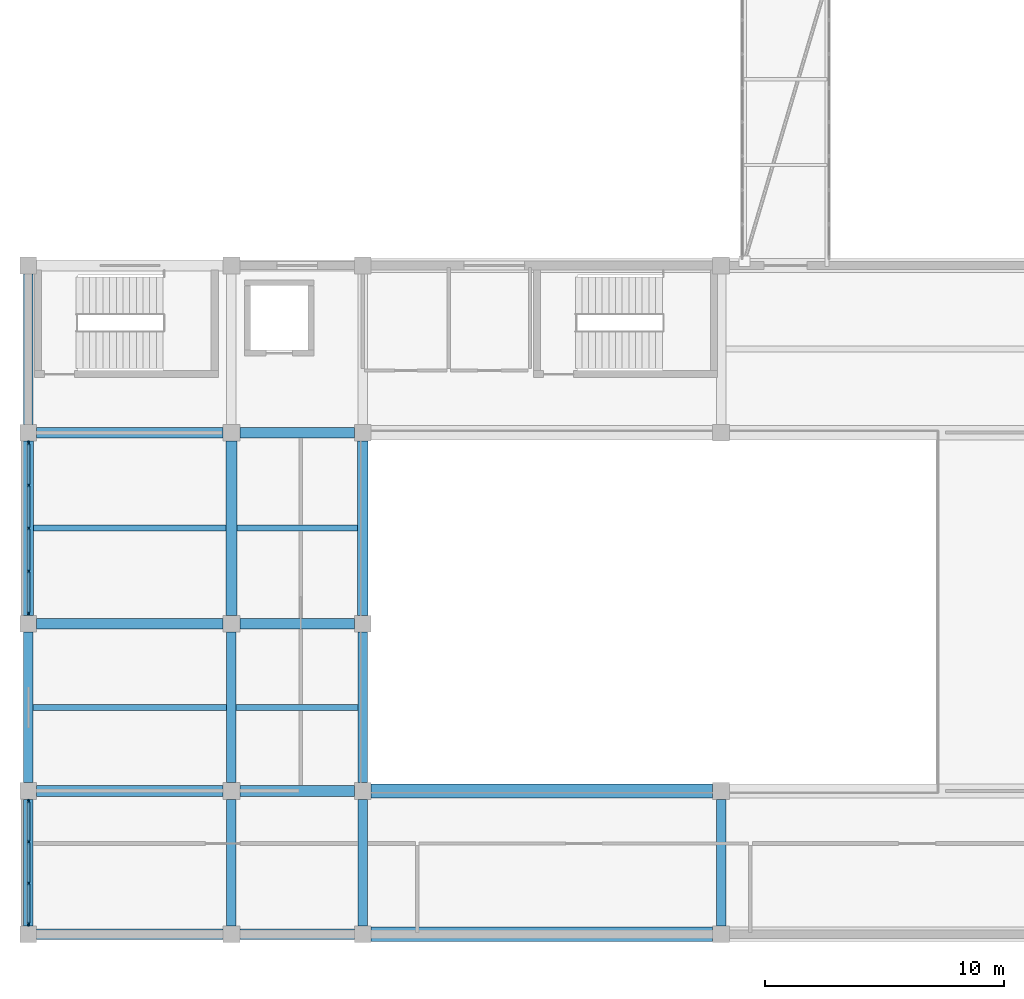
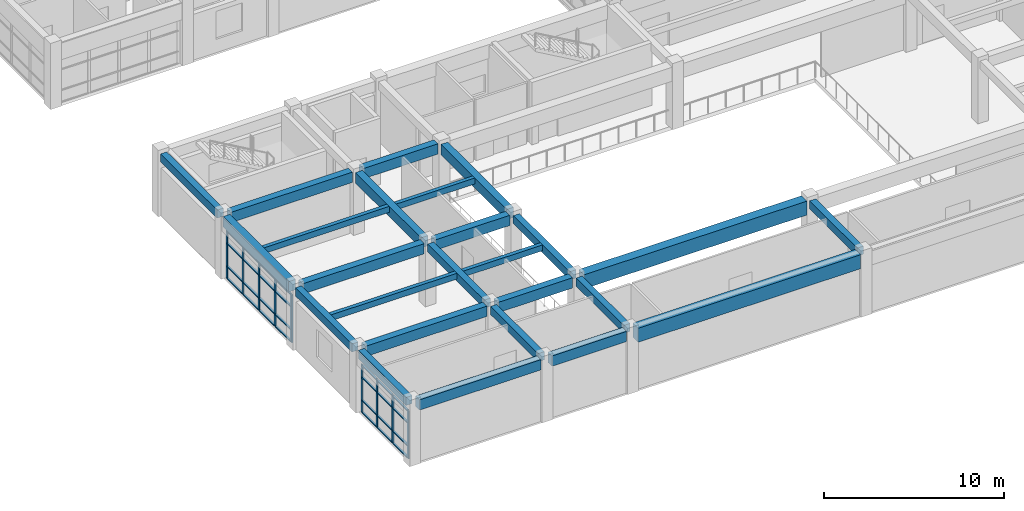
# One storey, part 3 of 70: 37 members, 25 beams, 2 elements without a shape of their own.
"""IFC4 building model written with IfcOpenShell, lengths in metres."""

import ifcopenshell
import ifcopenshell.guid

model = None  # the IFC model being written
_history = None  # IfcOwnerHistory: only IFC2X3 demands one
_inside = {}  # id of a spatial element -> (the spatial element, [elements in it])
_under = {}  # id of a project, library or spatial element -> (it, [spatial elements below it])
_declared = {}  # id of a project -> (the project, [libraries it declares])
_typed = {}  # id of a type object -> (the type object, [elements of that type])
_made_of = {}  # id of a material, layer set ... -> (it, [elements and type objects made of it])


def new_model(schema):
    """Start an empty IFC model of exactly this schema.

    Asked for "IFC4X3", IfcOpenShell would pick the latest addendum, in which some entities
    have other attributes; the version numbers below select the first issue.
    IFC2X3 requires an IfcOwnerHistory on every rooted entity: one is made here for all.
    """
    global model, _history
    if schema == "IFC4X3":
        model = ifcopenshell.file(schema_version=(4, 3, 0, 0))
    else:
        model = ifcopenshell.file(schema=schema)
    _inside.clear()
    _under.clear()
    _declared.clear()
    _typed.clear()
    _made_of.clear()
    _history = None
    if model.schema == "IFC2X3":
        org = make("IfcOrganization", Name="unknown")
        user = make(
            "IfcPersonAndOrganization",
            ThePerson=make("IfcPerson", FamilyName="unknown"),
            TheOrganization=org,
        )
        app = make(
            "IfcApplication",
            ApplicationDeveloper=org,
            Version="unknown",
            ApplicationFullName="unknown",
            ApplicationIdentifier="unknown",
        )
        _history = make(
            "IfcOwnerHistory",
            OwningUser=user,
            OwningApplication=app,
            ChangeAction="ADDED",
            CreationDate=0,
        )
    return model


def make(cls, **values):
    """One entity of the class cls with the attributes given. An attribute that is None is left unset."""
    return model.create_entity(
        cls, **{name: value for name, value in values.items() if value is not None}
    )


def rooted(cls, **values):
    """An entity with a GlobalId (a new one), such as an element, a storey or a relation."""
    return make(cls, GlobalId=ifcopenshell.guid.new(), OwnerHistory=_history, **values)


def si_unit(unit_type, name, prefix=None):
    """IfcSIUnit, for example si_unit("LENGTHUNIT", "METRE", prefix="MILLI")."""
    return make("IfcSIUnit", UnitType=unit_type, Prefix=prefix, Name=name)


def assignment(units):
    """IfcUnitAssignment: the units of a project."""
    return None if units is None else make("IfcUnitAssignment", Units=units)


def point(xyz):
    """IfcCartesianPoint."""
    return None if xyz is None else make("IfcCartesianPoint", Coordinates=xyz)


def direction(xyz):
    """IfcDirection."""
    return None if xyz is None else make("IfcDirection", DirectionRatios=xyz)


def frame(location, z_axis=None, x_axis=None):
    """IfcAxis2Placement3D, a coordinate frame: its origin and axes. An axis left out is left unset."""
    return make(
        "IfcAxis2Placement3D",
        Location=point(location),
        Axis=direction(z_axis),
        RefDirection=direction(x_axis),
    )


def frame_2d(location, x_axis=None):
    """IfcAxis2Placement2D, a coordinate frame in the plane: its origin and x axis."""
    return make(
        "IfcAxis2Placement2D", Location=point(location), RefDirection=direction(x_axis)
    )


def origin():
    """The frame at (0, 0, 0) with its axes left unset."""
    return frame((0.0, 0.0, 0.0))


def origin_2d():
    """The frame at (0, 0) in the plane with its x axis left unset."""
    return frame_2d((0.0, 0.0))


def place(relative_to, where):
    """IfcLocalPlacement: puts the frame where relative to a parent placement (None: the world)."""
    return make(
        "IfcLocalPlacement", PlacementRelTo=relative_to, RelativePlacement=where
    )


def context(
    kind, dimensions, precision=None, world=None, true_north=None, identifier=None
):
    """IfcGeometricRepresentationContext, for example the 3D "Model" context."""
    return make(
        "IfcGeometricRepresentationContext",
        ContextIdentifier=identifier,
        ContextType=kind,
        CoordinateSpaceDimension=dimensions,
        Precision=precision,
        WorldCoordinateSystem=world,
        TrueNorth=true_north,
    )


def subcontext(parent, identifier, kind, view, scale=None):
    """IfcGeometricRepresentationSubContext, for example "Body" below "Model"."""
    return make(
        "IfcGeometricRepresentationSubContext",
        ContextIdentifier=identifier,
        ContextType=kind,
        ParentContext=parent,
        TargetScale=scale,
        TargetView=view,
    )


def project(units=None, contexts=None):
    """IfcProject with its units and contexts."""
    return rooted(
        "IfcProject",
        Name="project",
        RepresentationContexts=contexts,
        UnitsInContext=assignment(units),
    )


def spatial(cls, under=None, at=None, **own):
    """A site, building, storey or space (cls), placed at a placement, below another one or the project."""
    s = rooted(cls, ObjectPlacement=at, **own)
    if under is not None:
        _under.setdefault(under.id(), (under, []))[1].append(s)
    return s


def profile(cls, at=None, kind="AREA", **sizes):
    """A parametric profile (cls). Its sizes go by their IFC names, for example OverallWidth=200.0."""
    return make(cls, ProfileType=kind, Position=at, **sizes)


def rectangle(**sizes):
    """IfcRectangleProfileDef."""
    return profile("IfcRectangleProfileDef", **sizes)


def extrude(swept, where, along, depth):
    """IfcExtrudedAreaSolid: the profile swept, set in the frame where, extruded along a direction by depth."""
    return make(
        "IfcExtrudedAreaSolid",
        SweptArea=swept,
        Position=where,
        ExtrudedDirection=direction(along),
        Depth=depth,
    )


def shape(context_of_items, identifier, shape_type, items):
    """IfcShapeRepresentation: the items that make up one representation, for example the "Body"."""
    return make(
        "IfcShapeRepresentation",
        ContextOfItems=context_of_items,
        RepresentationIdentifier=identifier,
        RepresentationType=shape_type,
        Items=items,
    )


def material(Name=None, Category=None):
    """IfcMaterial."""
    return make("IfcMaterial", Name=Name, Category=Category)


def layer(
    of_material, thickness, ventilated=None, Name=None, Category=None, Priority=None
):
    """IfcMaterialLayer: one layer of a wall or slab, of a material (None: an air gap)."""
    return make(
        "IfcMaterialLayer",
        Material=of_material,
        LayerThickness=thickness,
        IsVentilated=ventilated,
        Name=Name,
        Category=Category,
        Priority=Priority,
    )


def layer_set(layers, Name=None):
    """IfcMaterialLayerSet."""
    return make("IfcMaterialLayerSet", MaterialLayers=layers, LayerSetName=Name)


def material_profile(
    of_material, cross_section, Name=None, Category=None, Priority=None
):
    """IfcMaterialProfile: a cross section and its material."""
    return make(
        "IfcMaterialProfile",
        Name=Name,
        Material=of_material,
        Profile=cross_section,
        Priority=Priority,
        Category=Category,
    )


def profile_set(profiles, Name=None, composite=None):
    """IfcMaterialProfileSet."""
    return make(
        "IfcMaterialProfileSet",
        Name=Name,
        MaterialProfiles=profiles,
        CompositeProfile=composite,
    )


def made_of(thing, what):
    """Note that an element or type object is made of a material, layer set ...; save() writes the relation."""
    if what is not None:
        _made_of.setdefault(what.id(), (what, []))[1].append(thing)
    return thing


def type_object(cls, material=None, **own):
    """A type object (cls), such as IfcWallType, which elements share."""
    return made_of(rooted(cls, **own), material)


def element(
    cls,
    number,
    at=None,
    inside=None,
    cuts=None,
    type_object=None,
    material=None,
    context=None,
    identifier="Body",
    shape_type=None,
    held_by="IfcProductDefinitionShape",
    body=None,
    shapes=None,
    **own,
):
    """One element of the class cls, such as IfcWall. Its Tag is "e" and its number.

    at: its placement. inside: the storey or other place that contains it. cuts: it is an
    opening in that element (IfcRelVoidsElement). A single representation is given by context,
    identifier, shape_type and body (its items); several are given by shapes. held_by: the class
    of the entity that holds the representations. save() writes the other relations.
    """
    e = rooted(cls, Tag="e%d" % number, ObjectPlacement=at, **own)
    if body is not None:
        shapes = [shape(context, identifier, shape_type, body)]
    if shapes is not None:
        e.Representation = make(held_by, Representations=shapes)
    if inside is not None:
        _inside.setdefault(inside.id(), (inside, []))[1].append(e)
    if cuts is not None:
        rooted(
            "IfcRelVoidsElement", RelatingBuildingElement=cuts, RelatedOpeningElement=e
        )
    if type_object is not None:
        _typed.setdefault(type_object.id(), (type_object, []))[1].append(e)
    return made_of(e, material)


def aggregate(whole, parts):
    """IfcRelAggregates: a whole, such as a stair, and the parts it consists of."""
    return rooted("IfcRelAggregates", RelatingObject=whole, RelatedObjects=parts)


def save(model, path):
    """Write the relations noted so far, then the file.

    IfcRelAggregates (storeys below a building ...), IfcRelContainedInSpatialStructure (elements
    in a storey), IfcRelDefinesByType, IfcRelAssociatesMaterial and IfcRelDeclares: one each for
    every whole, place, type object, material and project.
    """
    for whole, parts in _under.values():
        aggregate(whole, parts)
    for where, things in _inside.values():
        rooted(
            "IfcRelContainedInSpatialStructure",
            RelatedElements=things,
            RelatingStructure=where,
        )
    for kind, things in _typed.values():
        rooted("IfcRelDefinesByType", RelatedObjects=things, RelatingType=kind)
    for what, things in _made_of.values():
        rooted("IfcRelAssociatesMaterial", RelatedObjects=things, RelatingMaterial=what)
    for by, libraries in _declared.values():
        rooted("IfcRelDeclares", RelatingContext=by, RelatedDefinitions=libraries)
    model.write(path)


model = new_model("IFC4")

# Units and contexts
model_context = context("Model", 3, precision=1e-05, world=origin(), true_north=direction((0.0, 1.0)))
body_context = subcontext(model_context, "Body", "Model", "MODEL_VIEW")
ifc_project = project(units=[si_unit("LENGTHUNIT", "METRE"), si_unit("AREAUNIT", "SQUARE_METRE"), si_unit("VOLUMEUNIT", "CUBIC_METRE"), si_unit("PLANEANGLEUNIT", "RADIAN"), si_unit("MASSUNIT", "GRAM", prefix="KILO")], contexts=[model_context])

# Site, building, storey
site_placement = place(None, origin())
site = spatial("IfcSite", under=ifc_project, at=site_placement, CompositionType="ELEMENT")
building_placement = place(site_placement, origin())
building = spatial("IfcBuilding", under=site, at=building_placement, Name="Naurynzar Civic Courthouse", CompositionType="ELEMENT")
storey_placement = place(building_placement, frame((0.0, 0.0, 5.39990234375)))
storey = spatial("IfcBuildingStorey", under=building, at=storey_placement, Name="L02", CompositionType="ELEMENT", Elevation=5.39990234375)

# Beams
ifc_material_1 = material(Name="Concrete C40/50", Category="concrete")
ifc_material_profile_1 = material_profile(ifc_material_1, rectangle(XDim=0.25, YDim=0.39990234375, at=origin_2d()), Name="RCB 250x400")
ifc_profile_set_1 = profile_set([ifc_material_profile_1], Name="Concrete C40/50")
beam_type_1 = type_object("IfcBeamType", Name="BM-JST-250x400", PredefinedType="JOIST", material=ifc_profile_set_1)
beam_1_placement = place(storey_placement, frame((6.199951171875, 13.5, 4.030029296875), z_axis=(1.0, 0.0, 0.0), x_axis=(0.0, 1.0, 0.0)))
element("IfcBeam", 1, at=beam_1_placement, inside=storey, type_object=beam_type_1, Name="V4 secondary rib 1848 L02", PredefinedType="JOIST", context=body_context, shape_type="SweptSolid", body=[
    extrude(rectangle(XDim=0.25, YDim=0.39990234375, at=origin_2d()), origin(), (0.0, 0.0, 1.0), 8.10009765625),
])
beam_2_placement = place(storey_placement, frame((14.699951171875, 13.5, 4.030029296875), z_axis=(1.0, 0.0, 0.0), x_axis=(0.0, 1.0, 0.0)))
element("IfcBeam", 2, at=beam_2_placement, inside=storey, type_object=beam_type_1, Name="V4 secondary rib 1849 L02", PredefinedType="JOIST", context=body_context, shape_type="SweptSolid", body=[
    extrude(rectangle(XDim=0.25, YDim=0.39990234375, at=origin_2d()), origin(), (0.0, 0.0, 1.0), 5.10009765625),
])
beam_3_placement = place(storey_placement, frame((6.22509765625, 21.0, 4.030029296875), z_axis=(1.0, 0.0, 0.0), x_axis=(0.0, 1.0, 0.0)))
element("IfcBeam", 3, at=beam_3_placement, inside=storey, type_object=beam_type_1, Name="V4 secondary rib 1851 L02", PredefinedType="JOIST", context=body_context, shape_type="SweptSolid", body=[
    extrude(rectangle(XDim=0.25, YDim=0.39990234375, at=origin_2d()), origin(), (0.0, 0.0, 1.0), 8.0498046875),
])
beam_4_placement = place(storey_placement, frame((14.72509765625, 21.0, 4.030029296875), z_axis=(1.0, 0.0, 0.0), x_axis=(0.0, 1.0, 0.0)))
element("IfcBeam", 4, at=beam_4_placement, inside=storey, type_object=beam_type_1, Name="V4 secondary rib 1852 L02", PredefinedType="JOIST", context=body_context, shape_type="SweptSolid", body=[
    extrude(rectangle(XDim=0.25, YDim=0.39990234375, at=origin_2d()), origin(), (0.0, 0.0, 1.0), 5.0498046875),
])
ifc_material_2 = material(Name="Concrete C40/50", Category="concrete")
ifc_material_profile_2 = material_profile(ifc_material_2, rectangle(XDim=0.60009765625, YDim=0.949951171875, at=origin_2d()), Name="PTB 600x950")
ifc_profile_set_2 = profile_set([ifc_material_profile_2], Name="Concrete C40/50")
beam_type_2 = type_object("IfcBeamType", Name="BM-PT-600x950", PredefinedType="T_BEAM", material=ifc_profile_set_2)
for number, where, z_axis, x_axis, name in (
    (5, (20.35009765625, 4.0, 3.755126953125), (1.0, 0.0, 0.0), (0.0, 1.0, 0.0), "V4 beam X-1805 L02"),
    (6, (20.35009765625, 10.0, 3.755126953125), (1.0, 0.0, 0.0), (0.0, 1.0, 0.0), "V4 beam X-1810 L02"),
):
    element("IfcBeam", number, at=place(storey_placement, frame(where, z_axis=z_axis, x_axis=x_axis)), inside=storey, type_object=beam_type_2, Name=name, PredefinedType="T_BEAM", context=body_context, shape_type="SweptSolid", body=[
        extrude(rectangle(XDim=0.60009765625, YDim=0.949951171875, at=origin_2d()), origin(), (0.0, 0.0, 1.0), 14.2998046875),
    ])
ifc_material_3 = material(Name="Concrete C40/50", Category="concrete")
ifc_material_profile_3 = material_profile(ifc_material_3, rectangle(XDim=0.39990234375, YDim=0.550048828125, at=origin_2d()), Name="RCB 400x550")
ifc_profile_set_3 = profile_set([ifc_material_profile_3], Name="Concrete C40/50")
beam_type_3 = type_object("IfcBeamType", Name="BM-RC-400x550", PredefinedType="BEAM", material=ifc_profile_set_3)
beam_5_placement = place(storey_placement, frame((6.0, 4.35009765625, 3.955078125), z_axis=(0.0, 1.0, 0.0), x_axis=(-1.0, 0.0, 0.0)))
element("IfcBeam", 7, at=beam_5_placement, inside=storey, type_object=beam_type_3, Name="V4 girder Y-1826 L02", PredefinedType="BEAM", context=body_context, shape_type="SweptSolid", body=[
    extrude(rectangle(XDim=0.39990234375, YDim=0.550048828125, at=origin_2d()), origin(), (0.0, 0.0, 1.0), 5.2998046875),
])
for number, where, z_axis, x_axis, name in (
    (8, (6.0, 10.35009765625, 3.955078125), (0.0, 1.0, 0.0), (-1.0, 0.0, 0.0), "V4 girder Y-1827 L02"),
    (9, (6.0, 25.35009765625, 3.955078125), (0.0, 1.0, 0.0), (-1.0, 0.0, 0.0), "V4 girder Y-1829 L02"),
):
    element("IfcBeam", number, at=place(storey_placement, frame(where, z_axis=z_axis, x_axis=x_axis)), inside=storey, type_object=beam_type_3, Name=name, PredefinedType="BEAM", context=body_context, shape_type="SweptSolid", body=[
        extrude(rectangle(XDim=0.39990234375, YDim=0.550048828125, at=origin_2d()), origin(), (0.0, 0.0, 1.0), 6.2998046875),
    ])
beam_6_placement = place(storey_placement, frame((14.5, 4.35009765625, 3.955078125), z_axis=(0.0, 1.0, 0.0), x_axis=(-1.0, 0.0, 0.0)))
element("IfcBeam", 10, at=beam_6_placement, inside=storey, type_object=beam_type_3, Name="V4 girder Y-1830 L02", PredefinedType="BEAM", context=body_context, shape_type="SweptSolid", body=[
    extrude(rectangle(XDim=0.39990234375, YDim=0.550048828125, at=origin_2d()), origin(), (0.0, 0.0, 1.0), 5.2998046875),
])
beam_7_placement = place(storey_placement, frame((14.5, 10.35009765625, 3.955078125), z_axis=(0.0, 1.0, 0.0), x_axis=(-1.0, 0.0, 0.0)))
element("IfcBeam", 11, at=beam_7_placement, inside=storey, type_object=beam_type_3, Name="V4 girder Y-1831 L02", PredefinedType="BEAM", context=body_context, shape_type="SweptSolid", body=[
    extrude(rectangle(XDim=0.39990234375, YDim=0.550048828125, at=origin_2d()), origin(), (0.0, 0.0, 1.0), 6.2998046875),
])
beam_8_placement = place(storey_placement, frame((20.0, 4.35009765625, 3.955078125), z_axis=(0.0, 1.0, 0.0), x_axis=(-1.0, 0.0, 0.0)))
element("IfcBeam", 12, at=beam_8_placement, inside=storey, type_object=beam_type_3, Name="V4 girder Y-1834 L02", PredefinedType="BEAM", context=body_context, shape_type="SweptSolid", body=[
    extrude(rectangle(XDim=0.39990234375, YDim=0.550048828125, at=origin_2d()), origin(), (0.0, 0.0, 1.0), 5.2998046875),
])
beam_9_placement = place(storey_placement, frame((20.0, 10.35009765625, 3.955078125), z_axis=(0.0, 1.0, 0.0), x_axis=(-1.0, 0.0, 0.0)))
element("IfcBeam", 13, at=beam_9_placement, inside=storey, type_object=beam_type_3, Name="V4 girder Y-1835 L02", PredefinedType="BEAM", context=body_context, shape_type="SweptSolid", body=[
    extrude(rectangle(XDim=0.39990234375, YDim=0.550048828125, at=origin_2d()), origin(), (0.0, 0.0, 1.0), 6.2998046875),
])
beam_10_placement = place(storey_placement, frame((35.0, 4.35009765625, 3.955078125), z_axis=(0.0, 1.0, 0.0), x_axis=(-1.0, 0.0, 0.0)))
element("IfcBeam", 14, at=beam_10_placement, inside=storey, type_object=beam_type_3, Name="V4 girder Y-1838 L02", PredefinedType="BEAM", context=body_context, shape_type="SweptSolid", body=[
    extrude(rectangle(XDim=0.39990234375, YDim=0.550048828125, at=origin_2d()), origin(), (0.0, 0.0, 1.0), 5.2998046875),
])
ifc_material_4 = material(Name="Concrete C40/50", Category="concrete")
ifc_material_profile_4 = material_profile(ifc_material_4, rectangle(XDim=0.449951171875, YDim=0.699951171875, at=origin_2d()), Name="RCB 450x700")
ifc_profile_set_4 = profile_set([ifc_material_profile_4], Name="Concrete C40/50")
beam_type_4 = type_object("IfcBeamType", Name="BM-RC-450x700", PredefinedType="BEAM", material=ifc_profile_set_4)
beam_11_placement = place(storey_placement, frame((6.35009765625, 4.0, 3.880126953125), z_axis=(1.0, 0.0, 0.0), x_axis=(0.0, 1.0, 0.0)))
element("IfcBeam", 15, at=beam_11_placement, inside=storey, type_object=beam_type_4, Name="V4 beam X-1803 L02", PredefinedType="BEAM", context=body_context, shape_type="SweptSolid", body=[
    extrude(rectangle(XDim=0.449951171875, YDim=0.699951171875, at=origin_2d()), origin(), (0.0, 0.0, 1.0), 7.7998046875),
])
beam_12_placement = place(storey_placement, frame((14.85009765625, 4.0, 3.880126953125), z_axis=(1.0, 0.0, 0.0), x_axis=(0.0, 1.0, 0.0)))
element("IfcBeam", 16, at=beam_12_placement, inside=storey, type_object=beam_type_4, Name="V4 beam X-1804 L02", PredefinedType="BEAM", context=body_context, shape_type="SweptSolid", body=[
    extrude(rectangle(XDim=0.449951171875, YDim=0.699951171875, at=origin_2d()), origin(), (0.0, 0.0, 1.0), 4.7998046875),
])
beam_13_placement = place(storey_placement, frame((6.35009765625, 10.0, 3.880126953125), z_axis=(1.0, 0.0, 0.0), x_axis=(0.0, 1.0, 0.0)))
element("IfcBeam", 17, at=beam_13_placement, inside=storey, type_object=beam_type_4, Name="V4 beam X-1808 L02", PredefinedType="BEAM", context=body_context, shape_type="SweptSolid", body=[
    extrude(rectangle(XDim=0.449951171875, YDim=0.699951171875, at=origin_2d()), origin(), (0.0, 0.0, 1.0), 7.7998046875),
])
beam_14_placement = place(storey_placement, frame((14.85009765625, 10.0, 3.880126953125), z_axis=(1.0, 0.0, 0.0), x_axis=(0.0, 1.0, 0.0)))
element("IfcBeam", 18, at=beam_14_placement, inside=storey, type_object=beam_type_4, Name="V4 beam X-1809 L02", PredefinedType="BEAM", context=body_context, shape_type="SweptSolid", body=[
    extrude(rectangle(XDim=0.449951171875, YDim=0.699951171875, at=origin_2d()), origin(), (0.0, 0.0, 1.0), 4.7998046875),
])
beam_15_placement = place(storey_placement, frame((6.35009765625, 17.0, 3.880126953125), z_axis=(1.0, 0.0, 0.0), x_axis=(0.0, 1.0, 0.0)))
element("IfcBeam", 19, at=beam_15_placement, inside=storey, type_object=beam_type_4, Name="V4 beam X-1813 L02", PredefinedType="BEAM", context=body_context, shape_type="SweptSolid", body=[
    extrude(rectangle(XDim=0.449951171875, YDim=0.699951171875, at=origin_2d()), origin(), (0.0, 0.0, 1.0), 7.7998046875),
])
beam_16_placement = place(storey_placement, frame((14.85009765625, 17.0, 3.880126953125), z_axis=(1.0, 0.0, 0.0), x_axis=(0.0, 1.0, 0.0)))
element("IfcBeam", 20, at=beam_16_placement, inside=storey, type_object=beam_type_4, Name="V4 beam X-1814 L02", PredefinedType="BEAM", context=body_context, shape_type="SweptSolid", body=[
    extrude(rectangle(XDim=0.449951171875, YDim=0.699951171875, at=origin_2d()), origin(), (0.0, 0.0, 1.0), 4.7998046875),
])
beam_17_placement = place(storey_placement, frame((6.35009765625, 25.0, 3.880126953125), z_axis=(1.0, 0.0, 0.0), x_axis=(0.0, 1.0, 0.0)))
element("IfcBeam", 21, at=beam_17_placement, inside=storey, type_object=beam_type_4, Name="V4 beam X-1816 L02", PredefinedType="BEAM", context=body_context, shape_type="SweptSolid", body=[
    extrude(rectangle(XDim=0.449951171875, YDim=0.699951171875, at=origin_2d()), origin(), (0.0, 0.0, 1.0), 7.7998046875),
])
beam_18_placement = place(storey_placement, frame((14.85009765625, 25.0, 3.880126953125), z_axis=(1.0, 0.0, 0.0), x_axis=(0.0, 1.0, 0.0)))
element("IfcBeam", 22, at=beam_18_placement, inside=storey, type_object=beam_type_4, Name="V4 beam X-1817 L02", PredefinedType="BEAM", context=body_context, shape_type="SweptSolid", body=[
    extrude(rectangle(XDim=0.449951171875, YDim=0.699951171875, at=origin_2d()), origin(), (0.0, 0.0, 1.0), 4.7998046875),
])
for number, where, z_axis, x_axis, name in (
    (23, (6.0, 17.35009765625, 3.880126953125), (0.0, 1.0, 0.0), (-1.0, 0.0, 0.0), "V4 girder Y-1828 L02"),
    (24, (14.5, 17.35009765625, 3.880126953125), (0.0, 1.0, 0.0), (-1.0, 0.0, 0.0), "V4 girder Y-1832 L02"),
    (25, (20.0, 17.35009765625, 3.880126953125), (0.0, 1.0, 0.0), (-1.0, 0.0, 0.0), "V4 girder Y-1836 L02"),
):
    element("IfcBeam", number, at=place(storey_placement, frame(where, z_axis=z_axis, x_axis=x_axis)), inside=storey, type_object=beam_type_4, Name=name, PredefinedType="BEAM", context=body_context, shape_type="SweptSolid", body=[
        extrude(rectangle(XDim=0.449951171875, YDim=0.699951171875, at=origin_2d()), origin(), (0.0, 0.0, 1.0), 7.2998046875),
    ])

# Curtain wall, members
ifc_material_5 = material(Name="Aluminium 6063-T6", Category="aluminium")
ifc_layer = layer(ifc_material_5, 0.159912109375)
ifc_layer_set = layer_set([ifc_layer], Name="CW-UNIT-1800")
curtain_wall_type = type_object("IfcCurtainWallType", Name="CW-UNIT-1800", PredefinedType="NOTDEFINED", material=ifc_layer_set)
curtain_wall_1_placement = place(storey_placement, origin())
curtain_wall_1 = element("IfcCurtainWall", 26, at=curtain_wall_1_placement, inside=storey, type_object=curtain_wall_type, Name="V4 unitised curtain wall 74 L02", PredefinedType="NOTDEFINED")
ifc_material_6 = material(Name="Aluminium 6063-T6", Category="aluminium")
ifc_material_profile_5 = material_profile(ifc_material_6, rectangle(XDim=0.070068359375, YDim=0.179931640625, at=origin_2d()), Name="ALU MULLION 70x180")
ifc_profile_set_5 = profile_set([ifc_material_profile_5], Name="Aluminium 6063-T6")
member_type_1 = type_object("IfcMemberType", Name="CWM-70x180", PredefinedType="MULLION", material=ifc_profile_set_5)
member_1_placement = place(storey_placement, frame((6.0, 4.43505859375, 0.0), z_axis=(0.0, 0.0, 1.0), x_axis=(-1.0, 0.0, 0.0)))
member_1 = element("IfcMember", 27, at=member_1_placement, type_object=member_type_1, Name="CW-02 mullion 1", PredefinedType="MULLION", context=body_context, shape_type="SweptSolid", body=[
    extrude(rectangle(XDim=0.070068359375, YDim=0.179931640625, at=origin_2d()), origin(), (0.0, 0.0, 1.0), 3.260009765625),
])
member_2_placement = place(storey_placement, frame((6.0, 6.13330078125, 0.0), z_axis=(0.0, 0.0, 1.0), x_axis=(-1.0, 0.0, 0.0)))
member_2 = element("IfcMember", 28, at=member_2_placement, type_object=member_type_1, Name="CW-02 mullion 2", PredefinedType="MULLION", context=body_context, shape_type="SweptSolid", body=[
    extrude(rectangle(XDim=0.070068359375, YDim=0.179931640625, at=origin_2d()), origin(), (0.0, 0.0, 1.0), 3.260009765625),
])
member_3_placement = place(storey_placement, frame((6.0, 7.86669921875, 0.0), z_axis=(0.0, 0.0, 1.0), x_axis=(-1.0, 0.0, 0.0)))
member_3 = element("IfcMember", 29, at=member_3_placement, type_object=member_type_1, Name="CW-02 mullion 3", PredefinedType="MULLION", context=body_context, shape_type="SweptSolid", body=[
    extrude(rectangle(XDim=0.070068359375, YDim=0.179931640625, at=origin_2d()), origin(), (0.0, 0.0, 1.0), 3.260009765625),
])
member_4_placement = place(storey_placement, frame((6.0, 9.56494140625, 0.0), z_axis=(0.0, 0.0, 1.0), x_axis=(-1.0, 0.0, 0.0)))
member_4 = element("IfcMember", 30, at=member_4_placement, type_object=member_type_1, Name="CW-02 mullion 4", PredefinedType="MULLION", context=body_context, shape_type="SweptSolid", body=[
    extrude(rectangle(XDim=0.070068359375, YDim=0.179931640625, at=origin_2d()), origin(), (0.0, 0.0, 1.0), 3.260009765625),
])

curtain_wall_2_placement = place(storey_placement, origin())
curtain_wall_2 = element("IfcCurtainWall", 31, at=curtain_wall_2_placement, inside=storey, type_object=curtain_wall_type, Name="V4 unitised curtain wall 75 L02", PredefinedType="NOTDEFINED")
member_5_placement = place(storey_placement, frame((6.0, 17.43505859375, 0.0), z_axis=(0.0, 0.0, 1.0), x_axis=(-1.0, 0.0, 0.0)))
member_5 = element("IfcMember", 32, at=member_5_placement, type_object=member_type_1, Name="CW-02 mullion 1", PredefinedType="MULLION", context=body_context, shape_type="SweptSolid", body=[
    extrude(rectangle(XDim=0.070068359375, YDim=0.179931640625, at=origin_2d()), origin(), (0.0, 0.0, 1.0), 3.260009765625),
])
member_6_placement = place(storey_placement, frame((6.0, 19.199951171875, 0.0), z_axis=(0.0, 0.0, 1.0), x_axis=(-1.0, 0.0, 0.0)))
member_6 = element("IfcMember", 33, at=member_6_placement, type_object=member_type_1, Name="CW-02 mullion 2", PredefinedType="MULLION", context=body_context, shape_type="SweptSolid", body=[
    extrude(rectangle(XDim=0.070068359375, YDim=0.179931640625, at=origin_2d()), origin(), (0.0, 0.0, 1.0), 3.260009765625),
])
member_7_placement = place(storey_placement, frame((6.0, 21.0, 0.0), z_axis=(0.0, 0.0, 1.0), x_axis=(-1.0, 0.0, 0.0)))
member_7 = element("IfcMember", 34, at=member_7_placement, type_object=member_type_1, Name="CW-02 mullion 3", PredefinedType="MULLION", context=body_context, shape_type="SweptSolid", body=[
    extrude(rectangle(XDim=0.070068359375, YDim=0.179931640625, at=origin_2d()), origin(), (0.0, 0.0, 1.0), 3.260009765625),
])
member_8_placement = place(storey_placement, frame((6.0, 22.800048828125, 0.0), z_axis=(0.0, 0.0, 1.0), x_axis=(-1.0, 0.0, 0.0)))
member_8 = element("IfcMember", 35, at=member_8_placement, type_object=member_type_1, Name="CW-02 mullion 4", PredefinedType="MULLION", context=body_context, shape_type="SweptSolid", body=[
    extrude(rectangle(XDim=0.070068359375, YDim=0.179931640625, at=origin_2d()), origin(), (0.0, 0.0, 1.0), 3.260009765625),
])
member_9_placement = place(storey_placement, frame((6.0, 24.56494140625, 0.0), z_axis=(0.0, 0.0, 1.0), x_axis=(-1.0, 0.0, 0.0)))
member_9 = element("IfcMember", 36, at=member_9_placement, type_object=member_type_1, Name="CW-02 mullion 5", PredefinedType="MULLION", context=body_context, shape_type="SweptSolid", body=[
    extrude(rectangle(XDim=0.070068359375, YDim=0.179931640625, at=origin_2d()), origin(), (0.0, 0.0, 1.0), 3.260009765625),
])

# Member
ifc_material_7 = material(Name="Aluminium 6063-T6", Category="aluminium")
ifc_material_profile_6 = material_profile(ifc_material_7, rectangle(XDim=0.1298828125, YDim=0.070068359375, at=origin_2d()), Name="ALU TRANSOM 70x130")
ifc_profile_set_6 = profile_set([ifc_material_profile_6], Name="Aluminium 6063-T6")
member_type_2 = type_object("IfcMemberType", Name="CWT-70x130", PredefinedType="USERDEFINED", material=ifc_profile_set_6)
member_10_placement = place(storey_placement, frame((6.0, 4.469970703125, 0.03515625), z_axis=(0.0, 1.0, 0.0), x_axis=(-1.0, 0.0, 0.0)))
member_10 = element("IfcMember", 37, at=member_10_placement, type_object=member_type_2, Name="CW-02 transom 1.1", ObjectType="TRANSOM", PredefinedType="USERDEFINED", context=body_context, shape_type="SweptSolid", body=[
    extrude(rectangle(XDim=0.1298828125, YDim=0.070068359375, at=origin_2d()), origin(), (0.0, 0.0, 1.0), 1.62841796875),
])

member_11_placement = place(storey_placement, frame((6.0, 4.469970703125, 0.85009765625), z_axis=(0.0, 1.0, 0.0), x_axis=(-1.0, 0.0, 0.0)))
member_11 = element("IfcMember", 38, at=member_11_placement, type_object=member_type_2, Name="CW-02 transom 1.2", ObjectType="TRANSOM", PredefinedType="USERDEFINED", context=body_context, shape_type="SweptSolid", body=[
    extrude(rectangle(XDim=0.1298828125, YDim=0.070068359375, at=origin_2d()), origin(), (0.0, 0.0, 1.0), 1.62841796875),
])

member_12_placement = place(storey_placement, frame((6.0, 4.469970703125, 2.41015625), z_axis=(0.0, 1.0, 0.0), x_axis=(-1.0, 0.0, 0.0)))
member_12 = element("IfcMember", 39, at=member_12_placement, type_object=member_type_2, Name="CW-02 transom 1.3", ObjectType="TRANSOM", PredefinedType="USERDEFINED", context=body_context, shape_type="SweptSolid", body=[
    extrude(rectangle(XDim=0.1298828125, YDim=0.070068359375, at=origin_2d()), origin(), (0.0, 0.0, 1.0), 1.62841796875),
])

member_13_placement = place(storey_placement, frame((6.0, 4.469970703125, 3.22509765625), z_axis=(0.0, 1.0, 0.0), x_axis=(-1.0, 0.0, 0.0)))
member_13 = element("IfcMember", 40, at=member_13_placement, type_object=member_type_2, Name="CW-02 transom 1.4", ObjectType="TRANSOM", PredefinedType="USERDEFINED", context=body_context, shape_type="SweptSolid", body=[
    extrude(rectangle(XDim=0.1298828125, YDim=0.070068359375, at=origin_2d()), origin(), (0.0, 0.0, 1.0), 1.62841796875),
])

member_14_placement = place(storey_placement, frame((6.0, 6.168212890625, 0.03515625), z_axis=(0.0, 1.0, 0.0), x_axis=(-1.0, 0.0, 0.0)))
member_14 = element("IfcMember", 41, at=member_14_placement, type_object=member_type_2, Name="CW-02 transom 2.1", ObjectType="TRANSOM", PredefinedType="USERDEFINED", context=body_context, shape_type="SweptSolid", body=[
    extrude(rectangle(XDim=0.1298828125, YDim=0.070068359375, at=origin_2d()), origin(), (0.0, 0.0, 1.0), 1.66357421875),
])

member_15_placement = place(storey_placement, frame((6.0, 6.168212890625, 0.85009765625), z_axis=(0.0, 1.0, 0.0), x_axis=(-1.0, 0.0, 0.0)))
member_15 = element("IfcMember", 42, at=member_15_placement, type_object=member_type_2, Name="CW-02 transom 2.2", ObjectType="TRANSOM", PredefinedType="USERDEFINED", context=body_context, shape_type="SweptSolid", body=[
    extrude(rectangle(XDim=0.1298828125, YDim=0.070068359375, at=origin_2d()), origin(), (0.0, 0.0, 1.0), 1.66357421875),
])

member_16_placement = place(storey_placement, frame((6.0, 6.168212890625, 2.41015625), z_axis=(0.0, 1.0, 0.0), x_axis=(-1.0, 0.0, 0.0)))
member_16 = element("IfcMember", 43, at=member_16_placement, type_object=member_type_2, Name="CW-02 transom 2.3", ObjectType="TRANSOM", PredefinedType="USERDEFINED", context=body_context, shape_type="SweptSolid", body=[
    extrude(rectangle(XDim=0.1298828125, YDim=0.070068359375, at=origin_2d()), origin(), (0.0, 0.0, 1.0), 1.66357421875),
])

member_17_placement = place(storey_placement, frame((6.0, 6.168212890625, 3.22509765625), z_axis=(0.0, 1.0, 0.0), x_axis=(-1.0, 0.0, 0.0)))
member_17 = element("IfcMember", 44, at=member_17_placement, type_object=member_type_2, Name="CW-02 transom 2.4", ObjectType="TRANSOM", PredefinedType="USERDEFINED", context=body_context, shape_type="SweptSolid", body=[
    extrude(rectangle(XDim=0.1298828125, YDim=0.070068359375, at=origin_2d()), origin(), (0.0, 0.0, 1.0), 1.66357421875),
])

member_18_placement = place(storey_placement, frame((6.0, 7.901611328125, 0.03515625), z_axis=(0.0, 1.0, 0.0), x_axis=(-1.0, 0.0, 0.0)))
member_18 = element("IfcMember", 45, at=member_18_placement, type_object=member_type_2, Name="CW-02 transom 3.1", ObjectType="TRANSOM", PredefinedType="USERDEFINED", context=body_context, shape_type="SweptSolid", body=[
    extrude(rectangle(XDim=0.1298828125, YDim=0.070068359375, at=origin_2d()), origin(), (0.0, 0.0, 1.0), 1.62841796875),
])

member_19_placement = place(storey_placement, frame((6.0, 7.901611328125, 0.85009765625), z_axis=(0.0, 1.0, 0.0), x_axis=(-1.0, 0.0, 0.0)))
member_19 = element("IfcMember", 46, at=member_19_placement, type_object=member_type_2, Name="CW-02 transom 3.2", ObjectType="TRANSOM", PredefinedType="USERDEFINED", context=body_context, shape_type="SweptSolid", body=[
    extrude(rectangle(XDim=0.1298828125, YDim=0.070068359375, at=origin_2d()), origin(), (0.0, 0.0, 1.0), 1.62841796875),
])

member_20_placement = place(storey_placement, frame((6.0, 7.901611328125, 2.41015625), z_axis=(0.0, 1.0, 0.0), x_axis=(-1.0, 0.0, 0.0)))
member_20 = element("IfcMember", 47, at=member_20_placement, type_object=member_type_2, Name="CW-02 transom 3.3", ObjectType="TRANSOM", PredefinedType="USERDEFINED", context=body_context, shape_type="SweptSolid", body=[
    extrude(rectangle(XDim=0.1298828125, YDim=0.070068359375, at=origin_2d()), origin(), (0.0, 0.0, 1.0), 1.62841796875),
])

member_21_placement = place(storey_placement, frame((6.0, 7.901611328125, 3.22509765625), z_axis=(0.0, 1.0, 0.0), x_axis=(-1.0, 0.0, 0.0)))
member_21 = element("IfcMember", 48, at=member_21_placement, type_object=member_type_2, Name="CW-02 transom 3.4", ObjectType="TRANSOM", PredefinedType="USERDEFINED", context=body_context, shape_type="SweptSolid", body=[
    extrude(rectangle(XDim=0.1298828125, YDim=0.070068359375, at=origin_2d()), origin(), (0.0, 0.0, 1.0), 1.62841796875),
])

aggregate(curtain_wall_1, [member_1, member_2, member_3, member_4, member_10, member_11, member_12, member_13, member_14, member_15, member_16, member_17, member_18, member_19, member_20, member_21])

member_22_placement = place(storey_placement, frame((6.0, 17.469970703125, 0.03515625), z_axis=(0.0, 1.0, 0.0), x_axis=(-1.0, 0.0, 0.0)))
member_22 = element("IfcMember", 49, at=member_22_placement, type_object=member_type_2, Name="CW-02 transom 1.1", ObjectType="TRANSOM", PredefinedType="USERDEFINED", context=body_context, shape_type="SweptSolid", body=[
    extrude(rectangle(XDim=0.1298828125, YDim=0.070068359375, at=origin_2d()), origin(), (0.0, 0.0, 1.0), 1.695068359375),
])

member_23_placement = place(storey_placement, frame((6.0, 17.469970703125, 0.85009765625), z_axis=(0.0, 1.0, 0.0), x_axis=(-1.0, 0.0, 0.0)))
member_23 = element("IfcMember", 50, at=member_23_placement, type_object=member_type_2, Name="CW-02 transom 1.2", ObjectType="TRANSOM", PredefinedType="USERDEFINED", context=body_context, shape_type="SweptSolid", body=[
    extrude(rectangle(XDim=0.1298828125, YDim=0.070068359375, at=origin_2d()), origin(), (0.0, 0.0, 1.0), 1.695068359375),
])

member_24_placement = place(storey_placement, frame((6.0, 17.469970703125, 2.41015625), z_axis=(0.0, 1.0, 0.0), x_axis=(-1.0, 0.0, 0.0)))
member_24 = element("IfcMember", 51, at=member_24_placement, type_object=member_type_2, Name="CW-02 transom 1.3", ObjectType="TRANSOM", PredefinedType="USERDEFINED", context=body_context, shape_type="SweptSolid", body=[
    extrude(rectangle(XDim=0.1298828125, YDim=0.070068359375, at=origin_2d()), origin(), (0.0, 0.0, 1.0), 1.695068359375),
])

member_25_placement = place(storey_placement, frame((6.0, 17.469970703125, 3.22509765625), z_axis=(0.0, 1.0, 0.0), x_axis=(-1.0, 0.0, 0.0)))
member_25 = element("IfcMember", 52, at=member_25_placement, type_object=member_type_2, Name="CW-02 transom 1.4", ObjectType="TRANSOM", PredefinedType="USERDEFINED", context=body_context, shape_type="SweptSolid", body=[
    extrude(rectangle(XDim=0.1298828125, YDim=0.070068359375, at=origin_2d()), origin(), (0.0, 0.0, 1.0), 1.695068359375),
])

member_26_placement = place(storey_placement, frame((6.0, 19.235107421875, 0.03515625), z_axis=(0.0, 1.0, 0.0), x_axis=(-1.0, 0.0, 0.0)))
member_26 = element("IfcMember", 53, at=member_26_placement, type_object=member_type_2, Name="CW-02 transom 2.1", ObjectType="TRANSOM", PredefinedType="USERDEFINED", context=body_context, shape_type="SweptSolid", body=[
    extrude(rectangle(XDim=0.1298828125, YDim=0.070068359375, at=origin_2d()), origin(), (0.0, 0.0, 1.0), 1.72998046875),
])

member_27_placement = place(storey_placement, frame((6.0, 19.235107421875, 0.85009765625), z_axis=(0.0, 1.0, 0.0), x_axis=(-1.0, 0.0, 0.0)))
member_27 = element("IfcMember", 54, at=member_27_placement, type_object=member_type_2, Name="CW-02 transom 2.2", ObjectType="TRANSOM", PredefinedType="USERDEFINED", context=body_context, shape_type="SweptSolid", body=[
    extrude(rectangle(XDim=0.1298828125, YDim=0.070068359375, at=origin_2d()), origin(), (0.0, 0.0, 1.0), 1.72998046875),
])

member_28_placement = place(storey_placement, frame((6.0, 19.235107421875, 2.41015625), z_axis=(0.0, 1.0, 0.0), x_axis=(-1.0, 0.0, 0.0)))
member_28 = element("IfcMember", 55, at=member_28_placement, type_object=member_type_2, Name="CW-02 transom 2.3", ObjectType="TRANSOM", PredefinedType="USERDEFINED", context=body_context, shape_type="SweptSolid", body=[
    extrude(rectangle(XDim=0.1298828125, YDim=0.070068359375, at=origin_2d()), origin(), (0.0, 0.0, 1.0), 1.72998046875),
])

member_29_placement = place(storey_placement, frame((6.0, 19.235107421875, 3.22509765625), z_axis=(0.0, 1.0, 0.0), x_axis=(-1.0, 0.0, 0.0)))
member_29 = element("IfcMember", 56, at=member_29_placement, type_object=member_type_2, Name="CW-02 transom 2.4", ObjectType="TRANSOM", PredefinedType="USERDEFINED", context=body_context, shape_type="SweptSolid", body=[
    extrude(rectangle(XDim=0.1298828125, YDim=0.070068359375, at=origin_2d()), origin(), (0.0, 0.0, 1.0), 1.72998046875),
])

member_30_placement = place(storey_placement, frame((6.0, 21.034912109375, 0.03515625), z_axis=(0.0, 1.0, 0.0), x_axis=(-1.0, 0.0, 0.0)))
member_30 = element("IfcMember", 57, at=member_30_placement, type_object=member_type_2, Name="CW-02 transom 3.1", ObjectType="TRANSOM", PredefinedType="USERDEFINED", context=body_context, shape_type="SweptSolid", body=[
    extrude(rectangle(XDim=0.1298828125, YDim=0.070068359375, at=origin_2d()), origin(), (0.0, 0.0, 1.0), 1.72998046875),
])

member_31_placement = place(storey_placement, frame((6.0, 21.034912109375, 0.85009765625), z_axis=(0.0, 1.0, 0.0), x_axis=(-1.0, 0.0, 0.0)))
member_31 = element("IfcMember", 58, at=member_31_placement, type_object=member_type_2, Name="CW-02 transom 3.2", ObjectType="TRANSOM", PredefinedType="USERDEFINED", context=body_context, shape_type="SweptSolid", body=[
    extrude(rectangle(XDim=0.1298828125, YDim=0.070068359375, at=origin_2d()), origin(), (0.0, 0.0, 1.0), 1.72998046875),
])

member_32_placement = place(storey_placement, frame((6.0, 21.034912109375, 2.41015625), z_axis=(0.0, 1.0, 0.0), x_axis=(-1.0, 0.0, 0.0)))
member_32 = element("IfcMember", 59, at=member_32_placement, type_object=member_type_2, Name="CW-02 transom 3.3", ObjectType="TRANSOM", PredefinedType="USERDEFINED", context=body_context, shape_type="SweptSolid", body=[
    extrude(rectangle(XDim=0.1298828125, YDim=0.070068359375, at=origin_2d()), origin(), (0.0, 0.0, 1.0), 1.72998046875),
])

member_33_placement = place(storey_placement, frame((6.0, 21.034912109375, 3.22509765625), z_axis=(0.0, 1.0, 0.0), x_axis=(-1.0, 0.0, 0.0)))
member_33 = element("IfcMember", 60, at=member_33_placement, type_object=member_type_2, Name="CW-02 transom 3.4", ObjectType="TRANSOM", PredefinedType="USERDEFINED", context=body_context, shape_type="SweptSolid", body=[
    extrude(rectangle(XDim=0.1298828125, YDim=0.070068359375, at=origin_2d()), origin(), (0.0, 0.0, 1.0), 1.72998046875),
])

member_34_placement = place(storey_placement, frame((6.0, 22.8349609375, 0.03515625), z_axis=(0.0, 1.0, 0.0), x_axis=(-1.0, 0.0, 0.0)))
member_34 = element("IfcMember", 61, at=member_34_placement, type_object=member_type_2, Name="CW-02 transom 4.1", ObjectType="TRANSOM", PredefinedType="USERDEFINED", context=body_context, shape_type="SweptSolid", body=[
    extrude(rectangle(XDim=0.1298828125, YDim=0.070068359375, at=origin_2d()), origin(), (0.0, 0.0, 1.0), 1.695068359375),
])

member_35_placement = place(storey_placement, frame((6.0, 22.8349609375, 0.85009765625), z_axis=(0.0, 1.0, 0.0), x_axis=(-1.0, 0.0, 0.0)))
member_35 = element("IfcMember", 62, at=member_35_placement, type_object=member_type_2, Name="CW-02 transom 4.2", ObjectType="TRANSOM", PredefinedType="USERDEFINED", context=body_context, shape_type="SweptSolid", body=[
    extrude(rectangle(XDim=0.1298828125, YDim=0.070068359375, at=origin_2d()), origin(), (0.0, 0.0, 1.0), 1.695068359375),
])

member_36_placement = place(storey_placement, frame((6.0, 22.8349609375, 2.41015625), z_axis=(0.0, 1.0, 0.0), x_axis=(-1.0, 0.0, 0.0)))
member_36 = element("IfcMember", 63, at=member_36_placement, type_object=member_type_2, Name="CW-02 transom 4.3", ObjectType="TRANSOM", PredefinedType="USERDEFINED", context=body_context, shape_type="SweptSolid", body=[
    extrude(rectangle(XDim=0.1298828125, YDim=0.070068359375, at=origin_2d()), origin(), (0.0, 0.0, 1.0), 1.695068359375),
])

member_37_placement = place(storey_placement, frame((6.0, 22.8349609375, 3.22509765625), z_axis=(0.0, 1.0, 0.0), x_axis=(-1.0, 0.0, 0.0)))
member_37 = element("IfcMember", 64, at=member_37_placement, type_object=member_type_2, Name="CW-02 transom 4.4", ObjectType="TRANSOM", PredefinedType="USERDEFINED", context=body_context, shape_type="SweptSolid", body=[
    extrude(rectangle(XDim=0.1298828125, YDim=0.070068359375, at=origin_2d()), origin(), (0.0, 0.0, 1.0), 1.695068359375),
])

aggregate(curtain_wall_2, [member_5, member_6, member_7, member_8, member_9, member_22, member_23, member_24, member_25, member_26, member_27, member_28, member_29, member_30, member_31, member_32, member_33, member_34, member_35, member_36, member_37])

save(model, "model.ifc")
